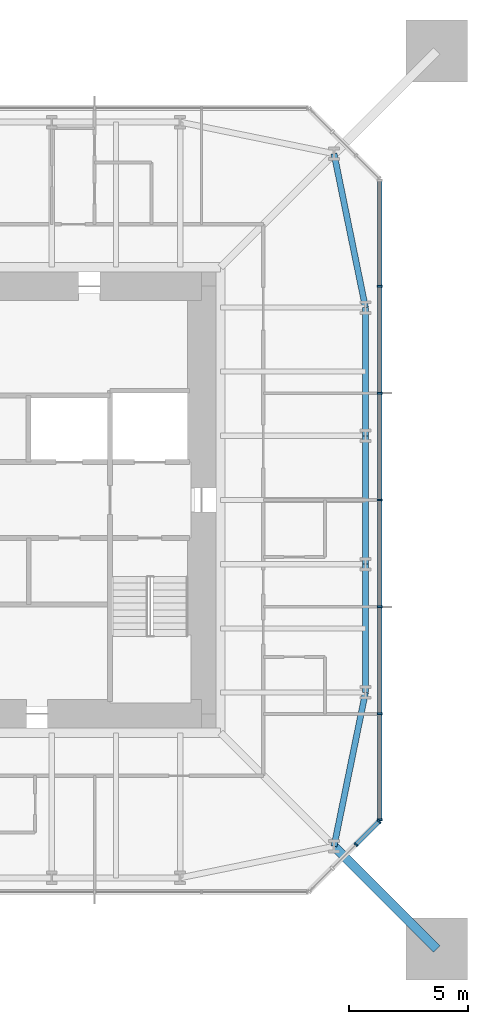
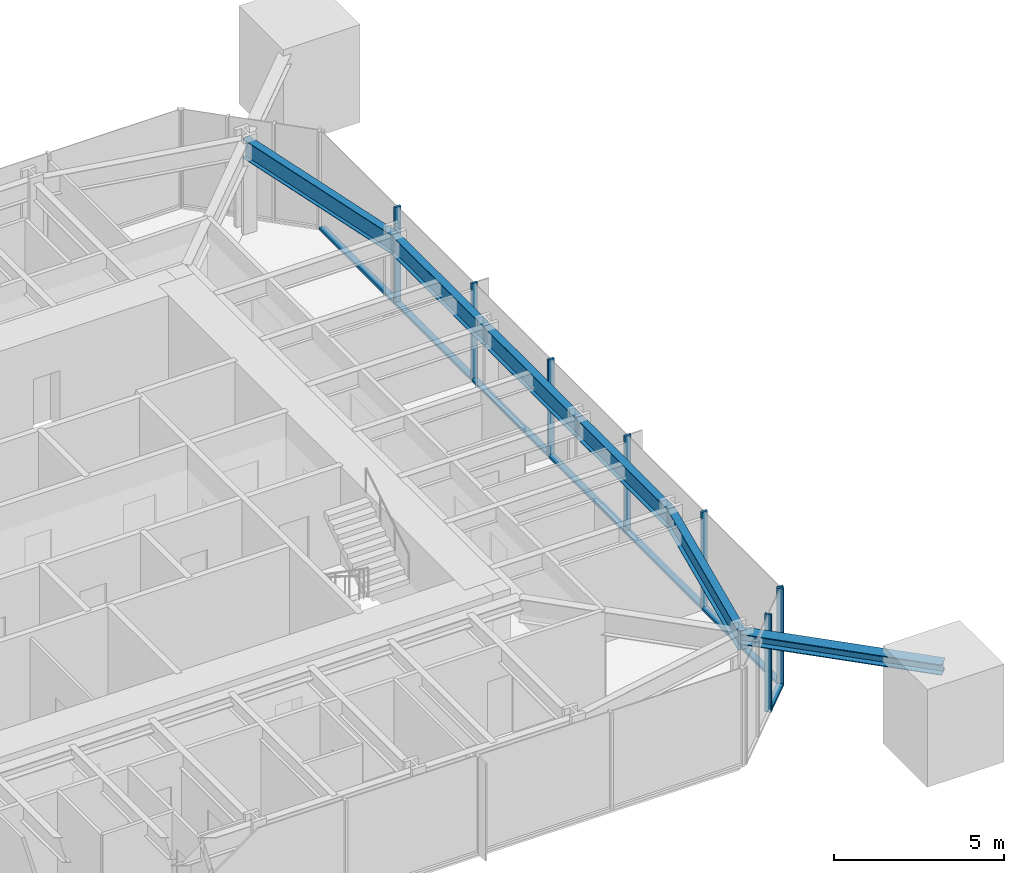
# One storey, part 3 of 9: 16 members, 5 beams, 2 elements without a shape of their own.
"""IFC4 building model written with IfcOpenShell, lengths in metres."""

from ifc_helpers import new_model, si_unit, direction, frame, origin, origin_2d, place, context, subcontext, project, spatial, rectangle, i_section, extrude, material, material_profile, profile_set, type_object, element, aggregate, save


model = new_model("IFC4")

# Units and contexts
model_context = context("Model", 3, precision=1e-05, world=origin(), true_north=direction((0.0, 1.0)))
body_context = subcontext(model_context, "Body", "Model", "MODEL_VIEW")
ifc_project = project(units=[si_unit("LENGTHUNIT", "METRE"), si_unit("AREAUNIT", "SQUARE_METRE"), si_unit("VOLUMEUNIT", "CUBIC_METRE"), si_unit("PLANEANGLEUNIT", "RADIAN"), si_unit("MASSUNIT", "GRAM", prefix="KILO")], contexts=[model_context])

# Site, building, storey
site_placement = place(None, origin())
site = spatial("IfcSite", under=ifc_project, at=site_placement, CompositionType="ELEMENT")
building_placement = place(site_placement, origin())
building = spatial("IfcBuilding", under=site, at=building_placement, Name="Iwan Alto Co-Living Towers", CompositionType="ELEMENT")
storey_placement = place(building_placement, frame((0.0, 0.0, 257.0)))
storey = spatial("IfcBuildingStorey", under=building, at=storey_placement, Name="L70", CompositionType="ELEMENT", Elevation=257.0)

# Curtain wall, members
ifc_material_1 = material(Name="Bronze aluminium unitised frame", Category="aluminium")
curtain_wall_type_1 = type_object("IfcCurtainWallType", Name="CURTAIN WALL CW-A", PredefinedType="NOTDEFINED", material=ifc_material_1)
curtain_wall_1_placement = place(storey_placement, origin())
curtain_wall_1 = element("IfcCurtainWall", 1, at=curtain_wall_1_placement, inside=storey, type_object=curtain_wall_type_1, Name="T1 curtain wall E L70", PredefinedType="NOTDEFINED")
ifc_material_2 = material(Name="Aluminium 6063-T6 bronze anodised", Category="aluminium")
ifc_material_profile_1 = material_profile(ifc_material_2, rectangle(XDim=0.199951171875, YDim=0.080078125, at=origin_2d()), Name="AL 80X200")
ifc_profile_set_1 = profile_set([ifc_material_profile_1], Name="Aluminium 6063-T6 bronze anodised")
member_type_1 = type_object("IfcMemberType", Name="CW-A MULLION 80X200", PredefinedType="MULLION", material=ifc_profile_set_1)
member_1_placement = place(storey_placement, frame((16.5, -13.4599609375, 0.0), z_axis=(0.0, 0.0, 1.0), x_axis=(-1.0, 0.0, 0.0)))
member_1 = element("IfcMember", 2, at=member_1_placement, type_object=member_type_1, Name="CW-A mullion 1", PredefinedType="MULLION", context=body_context, shape_type="SweptSolid", body=[
    extrude(rectangle(XDim=0.199951171875, YDim=0.080078125, at=origin_2d()), origin(), (0.0, 0.0, 1.0), 3.5),
])
member_2_placement = place(storey_placement, frame((16.5, -9.0, 0.0), z_axis=(0.0, 0.0, 1.0), x_axis=(-1.0, 0.0, 0.0)))
member_2 = element("IfcMember", 3, at=member_2_placement, type_object=member_type_1, Name="CW-A mullion 2", PredefinedType="MULLION", context=body_context, shape_type="SweptSolid", body=[
    extrude(rectangle(XDim=0.199951171875, YDim=0.080078125, at=origin_2d()), origin(), (0.0, 0.0, 1.0), 3.5),
])
member_3_placement = place(storey_placement, frame((16.5, -4.5, 0.0), z_axis=(0.0, 0.0, 1.0), x_axis=(-1.0, 0.0, 0.0)))
member_3 = element("IfcMember", 4, at=member_3_placement, type_object=member_type_1, Name="CW-A mullion 3", PredefinedType="MULLION", context=body_context, shape_type="SweptSolid", body=[
    extrude(rectangle(XDim=0.199951171875, YDim=0.080078125, at=origin_2d()), origin(), (0.0, 0.0, 1.0), 3.5),
])
member_4_placement = place(storey_placement, frame((16.5, 0.0, 0.0), z_axis=(0.0, 0.0, 1.0), x_axis=(-1.0, 0.0, 0.0)))
member_4 = element("IfcMember", 5, at=member_4_placement, type_object=member_type_1, Name="CW-A mullion 4", PredefinedType="MULLION", context=body_context, shape_type="SweptSolid", body=[
    extrude(rectangle(XDim=0.199951171875, YDim=0.080078125, at=origin_2d()), origin(), (0.0, 0.0, 1.0), 3.5),
])
member_5_placement = place(storey_placement, frame((16.5, 4.5, 0.0), z_axis=(0.0, 0.0, 1.0), x_axis=(-1.0, 0.0, 0.0)))
member_5 = element("IfcMember", 6, at=member_5_placement, type_object=member_type_1, Name="CW-A mullion 5", PredefinedType="MULLION", context=body_context, shape_type="SweptSolid", body=[
    extrude(rectangle(XDim=0.199951171875, YDim=0.080078125, at=origin_2d()), origin(), (0.0, 0.0, 1.0), 3.5),
])
member_6_placement = place(storey_placement, frame((16.5, 9.0, 0.0), z_axis=(0.0, 0.0, 1.0), x_axis=(-1.0, 0.0, 0.0)))
member_6 = element("IfcMember", 7, at=member_6_placement, type_object=member_type_1, Name="CW-A mullion 6", PredefinedType="MULLION", context=body_context, shape_type="SweptSolid", body=[
    extrude(rectangle(XDim=0.199951171875, YDim=0.080078125, at=origin_2d()), origin(), (0.0, 0.0, 1.0), 3.5),
])
ifc_material_3 = material(Name="Aluminium 6063-T6 bronze anodised", Category="aluminium")
ifc_material_profile_2 = material_profile(ifc_material_3, rectangle(XDim=0.199951171875, YDim=0.10009765625, at=origin_2d()), Name="AL 200X100")
ifc_profile_set_2 = profile_set([ifc_material_profile_2], Name="Aluminium 6063-T6 bronze anodised")
member_type_2 = type_object("IfcMemberType", Name="CW-A TRANSOM 200X100", PredefinedType="USERDEFINED", material=ifc_profile_set_2)
member_7_placement = place(storey_placement, frame((16.5, -13.419921875, 0.050048828125), z_axis=(0.0, 1.0, 0.0), x_axis=(-1.0, 0.0, 0.0)))
member_7 = element("IfcMember", 8, at=member_7_placement, type_object=member_type_2, Name="CW-A transom 1.1", ObjectType="TRANSOM", PredefinedType="USERDEFINED", context=body_context, shape_type="SweptSolid", body=[
    extrude(rectangle(XDim=0.199951171875, YDim=0.10009765625, at=origin_2d()), origin(), (0.0, 0.0, 1.0), 4.3798828125),
])
member_8_placement = place(storey_placement, frame((16.5, -8.9599609375, 0.050048828125), z_axis=(0.0, 1.0, 0.0), x_axis=(-1.0, 0.0, 0.0)))
member_8 = element("IfcMember", 9, at=member_8_placement, type_object=member_type_2, Name="CW-A transom 2.1", ObjectType="TRANSOM", PredefinedType="USERDEFINED", context=body_context, shape_type="SweptSolid", body=[
    extrude(rectangle(XDim=0.199951171875, YDim=0.10009765625, at=origin_2d()), origin(), (0.0, 0.0, 1.0), 4.419921875),
])
member_9_placement = place(storey_placement, frame((16.5, -4.4599609375, 0.050048828125), z_axis=(0.0, 1.0, 0.0), x_axis=(-1.0, 0.0, 0.0)))
member_9 = element("IfcMember", 10, at=member_9_placement, type_object=member_type_2, Name="CW-A transom 3.1", ObjectType="TRANSOM", PredefinedType="USERDEFINED", context=body_context, shape_type="SweptSolid", body=[
    extrude(rectangle(XDim=0.199951171875, YDim=0.10009765625, at=origin_2d()), origin(), (0.0, 0.0, 1.0), 4.419921875),
])
member_10_placement = place(storey_placement, frame((16.5, 0.0400390625, 0.050048828125), z_axis=(0.0, 1.0, 0.0), x_axis=(-1.0, 0.0, 0.0)))
member_10 = element("IfcMember", 11, at=member_10_placement, type_object=member_type_2, Name="CW-A transom 4.1", ObjectType="TRANSOM", PredefinedType="USERDEFINED", context=body_context, shape_type="SweptSolid", body=[
    extrude(rectangle(XDim=0.199951171875, YDim=0.10009765625, at=origin_2d()), origin(), (0.0, 0.0, 1.0), 4.419921875),
])
member_11_placement = place(storey_placement, frame((16.5, 4.5400390625, 0.050048828125), z_axis=(0.0, 1.0, 0.0), x_axis=(-1.0, 0.0, 0.0)))
member_11 = element("IfcMember", 12, at=member_11_placement, type_object=member_type_2, Name="CW-A transom 5.1", ObjectType="TRANSOM", PredefinedType="USERDEFINED", context=body_context, shape_type="SweptSolid", body=[
    extrude(rectangle(XDim=0.199951171875, YDim=0.10009765625, at=origin_2d()), origin(), (0.0, 0.0, 1.0), 4.419921875),
])
member_12_placement = place(storey_placement, frame((16.5, 9.0400390625, 0.050048828125), z_axis=(0.0, 1.0, 0.0), x_axis=(-1.0, 0.0, 0.0)))
member_12 = element("IfcMember", 13, at=member_12_placement, type_object=member_type_2, Name="CW-A transom 6.1", ObjectType="TRANSOM", PredefinedType="USERDEFINED", context=body_context, shape_type="SweptSolid", body=[
    extrude(rectangle(XDim=0.199951171875, YDim=0.10009765625, at=origin_2d()), origin(), (0.0, 0.0, 1.0), 4.3798828125),
])
aggregate(curtain_wall_1, [member_1, member_2, member_3, member_4, member_5, member_6, member_7, member_8, member_9, member_10, member_11, member_12])

ifc_material_4 = material(Name="Bronze aluminium unitised frame", Category="aluminium")
curtain_wall_type_2 = type_object("IfcCurtainWallType", Name="CURTAIN WALL CW-B", PredefinedType="NOTDEFINED", material=ifc_material_4)
curtain_wall_2_placement = place(storey_placement, origin())
curtain_wall_2 = element("IfcCurtainWall", 14, at=curtain_wall_2_placement, inside=storey, type_object=curtain_wall_type_2, Name="T1 chamfer curtain wall SE L70", PredefinedType="NOTDEFINED")
ifc_material_5 = material(Name="Aluminium 6063-T6 bronze anodised", Category="aluminium")
ifc_material_profile_3 = material_profile(ifc_material_5, rectangle(XDim=0.199951171875, YDim=0.080078125, at=origin_2d()), Name="AL 80X200")
ifc_profile_set_3 = profile_set([ifc_material_profile_3], Name="Aluminium 6063-T6 bronze anodised")
member_type_3 = type_object("IfcMemberType", Name="CW-B MULLION 80X200", PredefinedType="MULLION", material=ifc_profile_set_3)
member_13_placement = place(storey_placement, frame((15.5, -14.5, 0.0), z_axis=(0.0, 0.0, 1.0), x_axis=(-0.707106781187, 0.707106781187, 0.0)))
member_13 = element("IfcMember", 15, at=member_13_placement, type_object=member_type_3, Name="CW-B mullion 3", PredefinedType="MULLION", context=body_context, shape_type="SweptSolid", body=[
    extrude(rectangle(XDim=0.199951171875, YDim=0.080078125, at=origin_2d()), origin(), (0.0, 0.0, 1.0), 3.5),
])
member_14_placement = place(storey_placement, frame((16.4716796875, -13.5283203125, 0.0), z_axis=(0.0, 0.0, 1.0), x_axis=(-0.707106781187, 0.707106781187, 0.0)))
member_14 = element("IfcMember", 16, at=member_14_placement, type_object=member_type_3, Name="CW-B mullion 4", PredefinedType="MULLION", context=body_context, shape_type="SweptSolid", body=[
    extrude(rectangle(XDim=0.199951171875, YDim=0.080078125, at=origin_2d()), origin(), (0.0, 0.0, 1.0), 3.5),
])
ifc_material_6 = material(Name="Aluminium 6063-T6 bronze anodised", Category="aluminium")
ifc_material_profile_4 = material_profile(ifc_material_6, rectangle(XDim=0.199951171875, YDim=0.10009765625, at=origin_2d()), Name="AL 200X100")
ifc_profile_set_4 = profile_set([ifc_material_profile_4], Name="Aluminium 6063-T6 bronze anodised")
member_type_4 = type_object("IfcMemberType", Name="CW-B TRANSOM 200X100", PredefinedType="USERDEFINED", material=ifc_profile_set_4)
member_15_placement = place(storey_placement, frame((15.5283203125, -14.4716796875, 0.050048828125), z_axis=(0.707106781187, 0.707106781187, 0.0), x_axis=(-0.707106781187, 0.707106781187, 0.0)))
member_15 = element("IfcMember", 17, at=member_15_placement, type_object=member_type_4, Name="CW-B transom 3.1", ObjectType="TRANSOM", PredefinedType="USERDEFINED", context=body_context, shape_type="SweptSolid", body=[
    extrude(rectangle(XDim=0.199951171875, YDim=0.10009765625, at=origin_2d()), origin(), (0.0, 0.0, 1.0), 1.2939453125),
])
aggregate(curtain_wall_2, [member_13, member_14, member_15])

# Beams
ifc_material_7 = material(Name="Steel ASTM A992 Gr 50", Category="steel")
ifc_material_profile_5 = material_profile(ifc_material_7, i_section(OverallWidth=0.25390625, OverallDepth=0.683349609375, WebThickness=0.012451171875, FlangeThickness=0.018798828125, at=origin_2d()), Name="W27X94")
ifc_profile_set_5 = profile_set([ifc_material_profile_5], Name="Steel ASTM A992 Gr 50")
beam_type = type_object("IfcBeamType", Name="T1 EDGE BEAM W27X94", PredefinedType="BEAM", material=ifc_profile_set_5)
beam_1_placement = place(storey_placement, frame((14.57568359375, -14.57568359375, 2.928466796875), z_axis=(0.200347889618, 0.979724820103, 0.0), x_axis=(-0.979724820103, 0.200347889618, 0.0)))
element("IfcBeam", 18, at=beam_1_placement, inside=storey, type_object=beam_type, Name="T1 edge beam CSE L71", PredefinedType="BEAM", context=body_context, shape_type="SweptSolid", body=[
    extrude(i_section(OverallWidth=0.25390625, OverallDepth=0.683349609375, WebThickness=0.012451171875, FlangeThickness=0.018798828125, at=origin_2d()), origin(), (0.0, 0.0, 1.0), 6.609619140625),
])
beam_2_placement = place(storey_placement, frame((15.89990234375, -8.10009765625, 2.928466796875), z_axis=(0.0, 1.0, 0.0), x_axis=(-1.0, 0.0, 0.0)))
element("IfcBeam", 19, at=beam_2_placement, inside=storey, type_object=beam_type, Name="T1 edge beam E1 L71", PredefinedType="BEAM", context=body_context, shape_type="SweptSolid", body=[
    extrude(i_section(OverallWidth=0.25390625, OverallDepth=0.683349609375, WebThickness=0.012451171875, FlangeThickness=0.018798828125, at=origin_2d()), origin(), (0.0, 0.0, 1.0), 5.400146484375),
])
beam_3_placement = place(storey_placement, frame((15.89990234375, -2.699951171875, 2.928466796875), z_axis=(0.0, 1.0, 0.0), x_axis=(-1.0, 0.0, 0.0)))
element("IfcBeam", 20, at=beam_3_placement, inside=storey, type_object=beam_type, Name="T1 edge beam E2 L71", PredefinedType="BEAM", context=body_context, shape_type="SweptSolid", body=[
    extrude(i_section(OverallWidth=0.25390625, OverallDepth=0.683349609375, WebThickness=0.012451171875, FlangeThickness=0.018798828125, at=origin_2d()), origin(), (0.0, 0.0, 1.0), 5.39990234375),
])
beam_4_placement = place(storey_placement, frame((15.89990234375, 2.699951171875, 2.928466796875), z_axis=(0.0, 1.0, 0.0), x_axis=(-1.0, 0.0, 0.0)))
element("IfcBeam", 21, at=beam_4_placement, inside=storey, type_object=beam_type, Name="T1 edge beam E3 L71", PredefinedType="BEAM", context=body_context, shape_type="SweptSolid", body=[
    extrude(i_section(OverallWidth=0.25390625, OverallDepth=0.683349609375, WebThickness=0.012451171875, FlangeThickness=0.018798828125, at=origin_2d()), origin(), (0.0, 0.0, 1.0), 5.400146484375),
])
beam_5_placement = place(storey_placement, frame((15.89990234375, 8.10009765625, 2.928466796875), z_axis=(-0.200347889618, 0.979724820103, 0.0), x_axis=(-0.979724820103, -0.200347889618, 0.0)))
element("IfcBeam", 22, at=beam_5_placement, inside=storey, type_object=beam_type, Name="T1 edge beam E4 L71", PredefinedType="BEAM", context=body_context, shape_type="SweptSolid", body=[
    extrude(i_section(OverallWidth=0.25390625, OverallDepth=0.683349609375, WebThickness=0.012451171875, FlangeThickness=0.018798828125, at=origin_2d()), origin(), (0.0, 0.0, 1.0), 6.609619140625),
])

# Member
ifc_material_8 = material(Name="Steel ASTM A992 Gr 50", Category="steel")
ifc_material_profile_6 = material_profile(ifc_material_8, i_section(OverallWidth=0.393798828125, OverallDepth=0.3759765625, WebThickness=0.017333984375, FlangeThickness=0.027587890625, at=origin_2d()), Name="W14X145")
ifc_profile_set_6 = profile_set([ifc_material_profile_6], Name="Steel ASTM A992 Gr 50")
member_type_5 = type_object("IfcMemberType", Name="T1 MEGA COLUMN FLOOR TIE W14X145", PredefinedType="STRUT", material=ifc_profile_set_6)
member_16_placement = place(storey_placement, frame((18.89990234375, -18.89990234375, 3.08203125), z_axis=(-0.707106781187, 0.707106781187, 0.0), x_axis=(-0.707106781187, -0.707106781187, 0.0)))
element("IfcMember", 23, at=member_16_placement, inside=storey, type_object=member_type_5, Name="T1 mega column floor tie SE L71", PredefinedType="STRUT", context=body_context, shape_type="SweptSolid", body=[
    extrude(i_section(OverallWidth=0.393798828125, OverallDepth=0.3759765625, WebThickness=0.017333984375, FlangeThickness=0.027587890625, at=origin_2d()), origin(), (0.0, 0.0, 1.0), 6.115478515625),
])

save(model, "model.ifc")
